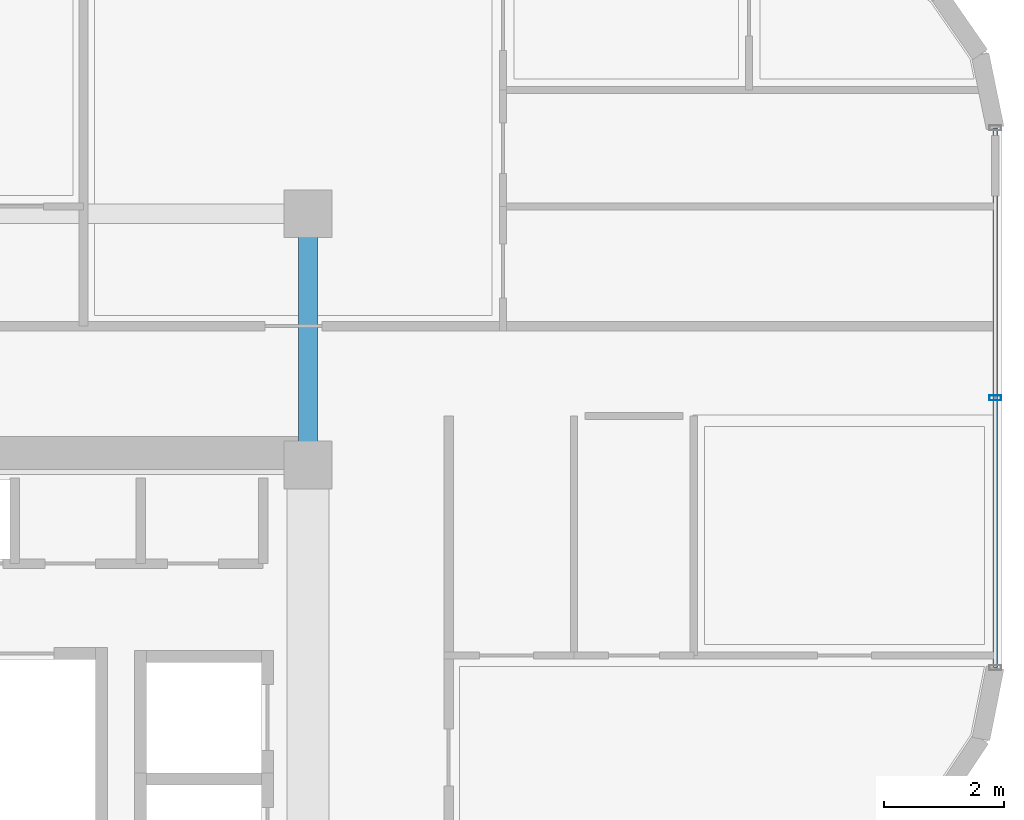
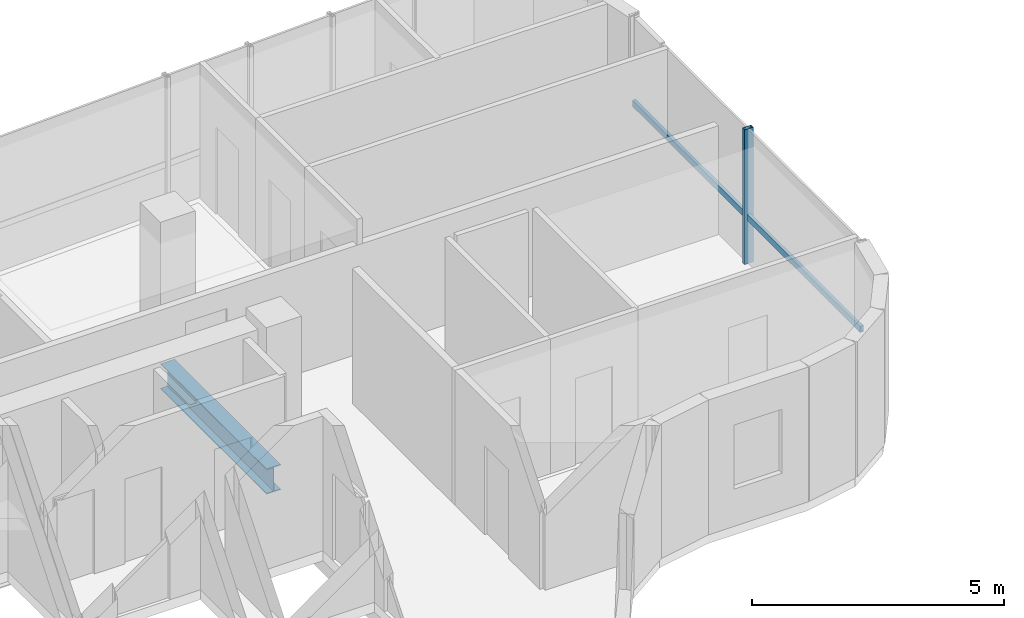
# One storey, part 9 of 19: 2 members, 1 beam, 1 element without a shape of its own.
"""IFC4 building model written with IfcOpenShell, lengths in metres."""

from ifc_helpers import new_model, si_unit, direction, frame, origin, origin_2d, place, context, subcontext, project, spatial, hollow_rectangle, i_section, extrude, source, transform, mapped, material, material_profile, profile_set, type_object, element, aggregate, save


model = new_model("IFC4")

# Units and contexts
model_context = context("Model", 3, precision=1e-05, world=origin(), true_north=direction((0.0, 1.0)))
body_context = subcontext(model_context, "Body", "Model", "MODEL_VIEW")
ifc_project = project(units=[si_unit("LENGTHUNIT", "METRE"), si_unit("AREAUNIT", "SQUARE_METRE"), si_unit("VOLUMEUNIT", "CUBIC_METRE"), si_unit("PLANEANGLEUNIT", "RADIAN"), si_unit("MASSUNIT", "GRAM", prefix="KILO")], contexts=[model_context])

# Site, building, storey
site_placement = place(None, origin())
site = spatial("IfcSite", under=ifc_project, at=site_placement, CompositionType="ELEMENT")
building_placement = place(site_placement, origin())
building = spatial("IfcBuilding", under=site, at=building_placement, Name="Valdorenza Pilgrim Sanctuary Tower", CompositionType="ELEMENT")
storey_placement = place(building_placement, frame((0.0, 0.0, 266.0)))
storey = spatial("IfcBuildingStorey", under=building, at=storey_placement, Name="L69", CompositionType="ELEMENT", Elevation=266.0)

# Beam
ifc_material_1 = material(Name="Steel ASTM A992 Grade 50", Category="steel")
ifc_material_profile_1 = material_profile(ifc_material_1, i_section(OverallWidth=0.323974609375, OverallDepth=0.611083984375, WebThickness=0.0126953125, FlangeThickness=0.01904296875, at=origin_2d()), Name="W24X104")
ifc_profile_set_1 = profile_set([ifc_material_profile_1], Name="Steel ASTM A992 Grade 50")
beam_type = type_object("IfcBeamType", Name="STR-BM-GRD-W24B", PredefinedType="BEAM", material=ifc_profile_set_1)
shared_shape_1 = source(origin(), body_context, "Body", "SweptSolid", [
    extrude(i_section(OverallWidth=0.323974609375, OverallDepth=0.611083984375, WebThickness=0.0126953125, FlangeThickness=0.01904296875, at=origin_2d()), origin(), (0.0, 0.0, 1.0), 4.199951171875),
])
beam_placement = place(storey_placement, frame((-12.39990234375, 10.60009765625, -0.54541015625), z_axis=(0.0, 1.0, 0.0), x_axis=(-1.0, 0.0, 0.0)))
element("IfcBeam", 1, at=beam_placement, inside=storey, type_object=beam_type, Name="L69 Core Tie Girder CA-E-N1N2", PredefinedType="BEAM", context=body_context, shape_type="MappedRepresentation", body=[
    mapped(shared_shape_1, transform((0.0, 0.0, 0.0), x_axis=(1.0, 0.0, 0.0), y_axis=(0.0, 1.0, 0.0), z_axis=(0.0, 0.0, 1.0), scale=1.0)),
])

# Curtain wall, members
ifc_material_2 = material(Name="Curtain-wall IGU glazing", Category="glass")
curtain_wall_type = type_object("IfcCurtainWallType", Name="CW-SYS-02", PredefinedType="NOTDEFINED", material=ifc_material_2)
curtain_wall_placement = place(storey_placement, origin())
curtain_wall = element("IfcCurtainWall", 2, at=curtain_wall_placement, inside=storey, type_object=curtain_wall_type, Name="L69 Curtain Wall CW-L69-1-11", PredefinedType="NOTDEFINED")
ifc_material_3 = material(Name="Anodised aluminium AW-6060", Category="aluminium")
ifc_material_profile_2 = material_profile(ifc_material_3, hollow_rectangle(XDim=0.0849609375, YDim=0.199951171875, WallThickness=0.0048828125, at=origin_2d()), Name="ALU-M 200x85x5")
ifc_profile_set_2 = profile_set([ifc_material_profile_2], Name="Anodised aluminium AW-6060")
member_type_1 = type_object("IfcMemberType", Name="CW-MUL-02", PredefinedType="MULLION", material=ifc_profile_set_2)
shared_shape_2 = source(origin(), body_context, "Body", "SweptSolid", [
    extrude(hollow_rectangle(XDim=0.0849609375, YDim=0.199951171875, WallThickness=0.0048828125, at=origin_2d()), origin(), (0.0, 0.0, 1.0), 3.260009765625),
])
member_1_placement = place(storey_placement, frame((-0.909912109375, 11.72265625, 0.0), z_axis=(0.0, 0.0, 1.0), x_axis=(0.0, -1.0, 0.0)))
member_1 = element("IfcMember", 3, at=member_1_placement, type_object=member_type_1, Name="CW-L69-1-11 Mullion 2", PredefinedType="MULLION", context=body_context, shape_type="MappedRepresentation", body=[
    mapped(shared_shape_2, transform((0.0, 0.0, 0.0), x_axis=(1.0, 0.0, 0.0), y_axis=(0.0, 1.0, 0.0), z_axis=(0.0, 0.0, 1.0), scale=1.0)),
])
ifc_material_profile_3 = material_profile(ifc_material_3, hollow_rectangle(XDim=0.074951171875, YDim=0.14990234375, WallThickness=0.00390625, at=origin_2d()), Name="ALU-T 150x75x4")
ifc_profile_set_3 = profile_set([ifc_material_profile_3], Name="Anodised aluminium AW-6060")
member_type_2 = type_object("IfcMemberType", Name="CW-TRN-02", PredefinedType="USERDEFINED", material=ifc_profile_set_3)
shared_shape_3 = source(origin(), body_context, "Body", "SweptSolid", [
    extrude(hollow_rectangle(XDim=0.074951171875, YDim=0.14990234375, WallThickness=0.00390625, at=origin_2d()), origin(), (0.0, 0.0, 1.0), 9.023681640625),
])
member_2_placement = place(storey_placement, frame((-0.909912109375, 16.234375, 1.1201171875), z_axis=(0.0, -1.0, 0.0), x_axis=(1.0, 0.0, 0.0)))
member_2 = element("IfcMember", 4, at=member_2_placement, type_object=member_type_2, Name="CW-L69-1-11 Transom 1", ObjectType="TRANSOM", PredefinedType="USERDEFINED", context=body_context, shape_type="MappedRepresentation", body=[
    mapped(shared_shape_3, transform((0.0, 0.0, 0.0), x_axis=(1.0, 0.0, 0.0), y_axis=(0.0, 1.0, 0.0), z_axis=(0.0, 0.0, 1.0), scale=1.0)),
])
aggregate(curtain_wall, [member_1, member_2])

save(model, "model.ifc")
